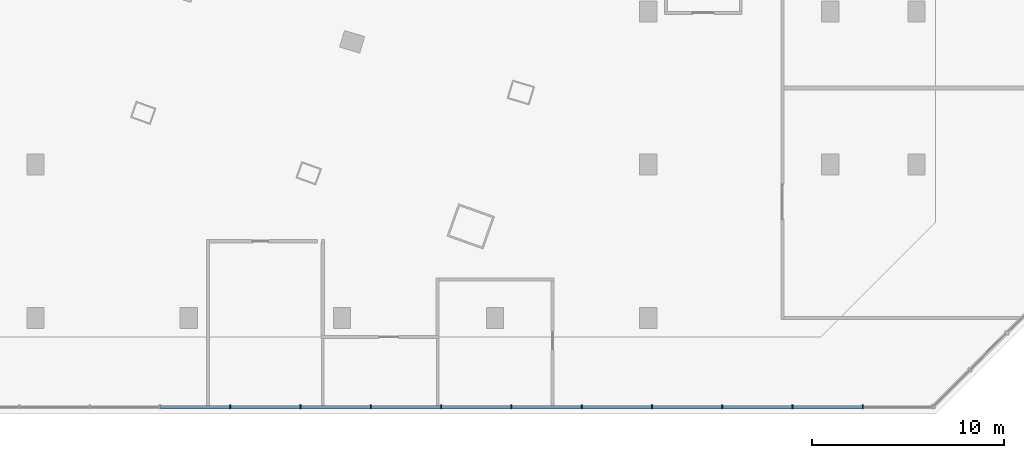
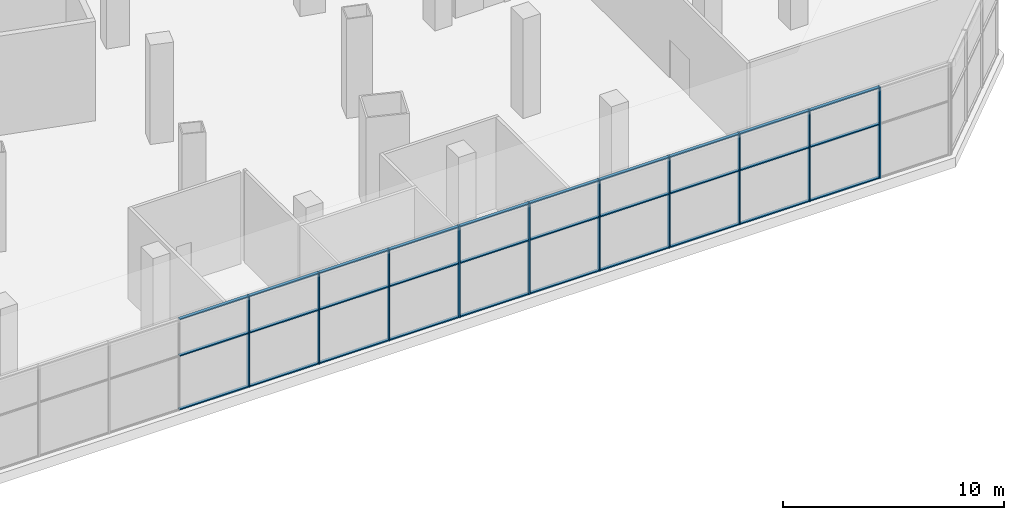
# One storey, part 3 of 26: 40 members, 1 element without a shape of its own.
"""IFC4 building model written with IfcOpenShell, lengths in metres."""

from ifc_helpers import new_model, si_unit, direction, frame, origin, origin_2d, place, context, subcontext, project, spatial, rectangle, extrude, material, layer, layer_set, material_profile, profile_set, type_object, element, aggregate, save


model = new_model("IFC4")

# Units and contexts
model_context = context("Model", 3, precision=1e-05, world=origin(), true_north=direction((0.0, 1.0)))
body_context = subcontext(model_context, "Body", "Model", "MODEL_VIEW")
ifc_project = project(units=[si_unit("LENGTHUNIT", "METRE"), si_unit("AREAUNIT", "SQUARE_METRE"), si_unit("VOLUMEUNIT", "CUBIC_METRE"), si_unit("PLANEANGLEUNIT", "RADIAN"), si_unit("MASSUNIT", "GRAM", prefix="KILO")], contexts=[model_context])

# Site, building, storey
site_placement = place(None, origin())
site = spatial("IfcSite", under=ifc_project, at=site_placement, CompositionType="ELEMENT")
building_placement = place(site_placement, origin())
building = spatial("IfcBuilding", under=site, at=building_placement, Name="Alderwake Tower", CompositionType="ELEMENT")
storey_placement = place(building_placement, frame((0.0, 0.0, 8.0)))
storey = spatial("IfcBuildingStorey", under=building, at=storey_placement, Name="L01", CompositionType="ELEMENT", Elevation=8.0)

# Curtain wall, members
ifc_material_1 = material(Name="Bronze tinted glass in aluminium frame", Category="aluminium")
ifc_layer = layer(ifc_material_1, 0.25)
ifc_layer_set = layer_set([ifc_layer], Name="Curtain wall CW1 podium shopfront")
curtain_wall_type = type_object("IfcCurtainWallType", Name="Curtain wall CW1 podium shopfront", PredefinedType="NOTDEFINED", material=ifc_layer_set)
curtain_wall_placement = place(storey_placement, origin())
curtain_wall = element("IfcCurtainWall", 1, at=curtain_wall_placement, inside=storey, type_object=curtain_wall_type, Name="Curtain wall 1", PredefinedType="NOTDEFINED")
ifc_material_2 = material(Name="Aluminium bronze anodised", Category="aluminium")
ifc_material_profile_1 = material_profile(ifc_material_2, rectangle(XDim=0.199951171875, YDim=0.06005859375, at=origin_2d()), Name="Mullion MUA 60x200")
ifc_profile_set_1 = profile_set([ifc_material_profile_1], Name="Aluminium bronze anodised")
member_type_1 = type_object("IfcMemberType", Name="Mullion MUA 60x200", PredefinedType="MULLION", material=ifc_profile_set_1)
member_1_placement = place(storey_placement, frame((42.172607421875, 3.35009765625, 0.0), z_axis=(0.0, 0.0, 1.0), x_axis=(0.0, 1.0, 0.0)))
member_1 = element("IfcMember", 2, at=member_1_placement, type_object=member_type_1, Name="CW.01 mullion 10", PredefinedType="MULLION", context=body_context, shape_type="SweptSolid", body=[
    extrude(rectangle(XDim=0.199951171875, YDim=0.06005859375, at=origin_2d()), origin(), (0.0, 0.0, 1.0), 5.050048828125),
])
member_2_placement = place(storey_placement, frame((45.84228515625, 3.35009765625, 0.0), z_axis=(0.0, 0.0, 1.0), x_axis=(0.0, 1.0, 0.0)))
member_2 = element("IfcMember", 3, at=member_2_placement, type_object=member_type_1, Name="CW.01 mullion 11", PredefinedType="MULLION", context=body_context, shape_type="SweptSolid", body=[
    extrude(rectangle(XDim=0.199951171875, YDim=0.06005859375, at=origin_2d()), origin(), (0.0, 0.0, 1.0), 5.050048828125),
])
member_3_placement = place(storey_placement, frame((49.51220703125, 3.35009765625, 0.0), z_axis=(0.0, 0.0, 1.0), x_axis=(0.0, 1.0, 0.0)))
member_3 = element("IfcMember", 4, at=member_3_placement, type_object=member_type_1, Name="CW.01 mullion 12", PredefinedType="MULLION", context=body_context, shape_type="SweptSolid", body=[
    extrude(rectangle(XDim=0.199951171875, YDim=0.06005859375, at=origin_2d()), origin(), (0.0, 0.0, 1.0), 5.050048828125),
])
member_4_placement = place(storey_placement, frame((53.181884765625, 3.35009765625, 0.0), z_axis=(0.0, 0.0, 1.0), x_axis=(0.0, 1.0, 0.0)))
member_4 = element("IfcMember", 5, at=member_4_placement, type_object=member_type_1, Name="CW.01 mullion 13", PredefinedType="MULLION", context=body_context, shape_type="SweptSolid", body=[
    extrude(rectangle(XDim=0.199951171875, YDim=0.06005859375, at=origin_2d()), origin(), (0.0, 0.0, 1.0), 5.050048828125),
])
member_5_placement = place(storey_placement, frame((56.8515625, 3.35009765625, 0.0), z_axis=(0.0, 0.0, 1.0), x_axis=(0.0, 1.0, 0.0)))
member_5 = element("IfcMember", 6, at=member_5_placement, type_object=member_type_1, Name="CW.01 mullion 14", PredefinedType="MULLION", context=body_context, shape_type="SweptSolid", body=[
    extrude(rectangle(XDim=0.199951171875, YDim=0.06005859375, at=origin_2d()), origin(), (0.0, 0.0, 1.0), 5.050048828125),
])
member_6_placement = place(storey_placement, frame((60.521240234375, 3.35009765625, 0.0), z_axis=(0.0, 0.0, 1.0), x_axis=(0.0, 1.0, 0.0)))
member_6 = element("IfcMember", 7, at=member_6_placement, type_object=member_type_1, Name="CW.01 mullion 15", PredefinedType="MULLION", context=body_context, shape_type="SweptSolid", body=[
    extrude(rectangle(XDim=0.199951171875, YDim=0.06005859375, at=origin_2d()), origin(), (0.0, 0.0, 1.0), 5.050048828125),
])
member_7_placement = place(storey_placement, frame((64.191162109375, 3.35009765625, 0.0), z_axis=(0.0, 0.0, 1.0), x_axis=(0.0, 1.0, 0.0)))
member_7 = element("IfcMember", 8, at=member_7_placement, type_object=member_type_1, Name="CW.01 mullion 16", PredefinedType="MULLION", context=body_context, shape_type="SweptSolid", body=[
    extrude(rectangle(XDim=0.199951171875, YDim=0.06005859375, at=origin_2d()), origin(), (0.0, 0.0, 1.0), 5.050048828125),
])
member_8_placement = place(storey_placement, frame((67.86083984375, 3.35009765625, 0.0), z_axis=(0.0, 0.0, 1.0), x_axis=(0.0, 1.0, 0.0)))
member_8 = element("IfcMember", 9, at=member_8_placement, type_object=member_type_1, Name="CW.01 mullion 17", PredefinedType="MULLION", context=body_context, shape_type="SweptSolid", body=[
    extrude(rectangle(XDim=0.199951171875, YDim=0.06005859375, at=origin_2d()), origin(), (0.0, 0.0, 1.0), 5.050048828125),
])
member_9_placement = place(storey_placement, frame((71.530517578125, 3.35009765625, 0.0), z_axis=(0.0, 0.0, 1.0), x_axis=(0.0, 1.0, 0.0)))
member_9 = element("IfcMember", 10, at=member_9_placement, type_object=member_type_1, Name="CW.01 mullion 18", PredefinedType="MULLION", context=body_context, shape_type="SweptSolid", body=[
    extrude(rectangle(XDim=0.199951171875, YDim=0.06005859375, at=origin_2d()), origin(), (0.0, 0.0, 1.0), 5.050048828125),
])
member_10_placement = place(storey_placement, frame((75.2001953125, 3.35009765625, 0.0), z_axis=(0.0, 0.0, 1.0), x_axis=(0.0, 1.0, 0.0)))
member_10 = element("IfcMember", 11, at=member_10_placement, type_object=member_type_1, Name="CW.01 mullion 19", PredefinedType="MULLION", context=body_context, shape_type="SweptSolid", body=[
    extrude(rectangle(XDim=0.199951171875, YDim=0.06005859375, at=origin_2d()), origin(), (0.0, 0.0, 1.0), 5.050048828125),
])
ifc_material_3 = material(Name="Aluminium bronze anodised", Category="aluminium")
ifc_material_profile_2 = material_profile(ifc_material_3, rectangle(XDim=0.159912109375, YDim=0.06005859375, at=origin_2d()), Name="Transom TRA 60x160")
ifc_profile_set_2 = profile_set([ifc_material_profile_2], Name="Aluminium bronze anodised")
member_type_2 = type_object("IfcMemberType", Name="Transom TRA 60x160", PredefinedType="USERDEFINED", material=ifc_profile_set_2)
member_11_placement = place(storey_placement, frame((38.532958984375, 3.35009765625, 0.030029296875), z_axis=(1.0, 0.0, 0.0), x_axis=(0.0, 1.0, 0.0)))
member_11 = element("IfcMember", 12, at=member_11_placement, type_object=member_type_2, Name="CW.01 transom 9.1", ObjectType="TRANSOM", PredefinedType="USERDEFINED", context=body_context, shape_type="SweptSolid", body=[
    extrude(rectangle(XDim=0.159912109375, YDim=0.06005859375, at=origin_2d()), origin(), (0.0, 0.0, 1.0), 3.609619140625),
])
member_12_placement = place(storey_placement, frame((38.532958984375, 3.35009765625, 3.0), z_axis=(1.0, 0.0, 0.0), x_axis=(0.0, 1.0, 0.0)))
member_12 = element("IfcMember", 13, at=member_12_placement, type_object=member_type_2, Name="CW.01 transom 9.2", ObjectType="TRANSOM", PredefinedType="USERDEFINED", context=body_context, shape_type="SweptSolid", body=[
    extrude(rectangle(XDim=0.159912109375, YDim=0.06005859375, at=origin_2d()), origin(), (0.0, 0.0, 1.0), 3.609619140625),
])
member_13_placement = place(storey_placement, frame((38.532958984375, 3.35009765625, 5.02001953125), z_axis=(1.0, 0.0, 0.0), x_axis=(0.0, 1.0, 0.0)))
member_13 = element("IfcMember", 14, at=member_13_placement, type_object=member_type_2, Name="CW.01 transom 9.3", ObjectType="TRANSOM", PredefinedType="USERDEFINED", context=body_context, shape_type="SweptSolid", body=[
    extrude(rectangle(XDim=0.159912109375, YDim=0.06005859375, at=origin_2d()), origin(), (0.0, 0.0, 1.0), 3.609619140625),
])
member_14_placement = place(storey_placement, frame((42.20263671875, 3.35009765625, 0.030029296875), z_axis=(1.0, 0.0, 0.0), x_axis=(0.0, 1.0, 0.0)))
member_14 = element("IfcMember", 15, at=member_14_placement, type_object=member_type_2, Name="CW.01 transom 10.1", ObjectType="TRANSOM", PredefinedType="USERDEFINED", context=body_context, shape_type="SweptSolid", body=[
    extrude(rectangle(XDim=0.159912109375, YDim=0.06005859375, at=origin_2d()), origin(), (0.0, 0.0, 1.0), 3.609619140625),
])
member_15_placement = place(storey_placement, frame((42.20263671875, 3.35009765625, 3.0), z_axis=(1.0, 0.0, 0.0), x_axis=(0.0, 1.0, 0.0)))
member_15 = element("IfcMember", 16, at=member_15_placement, type_object=member_type_2, Name="CW.01 transom 10.2", ObjectType="TRANSOM", PredefinedType="USERDEFINED", context=body_context, shape_type="SweptSolid", body=[
    extrude(rectangle(XDim=0.159912109375, YDim=0.06005859375, at=origin_2d()), origin(), (0.0, 0.0, 1.0), 3.609619140625),
])
member_16_placement = place(storey_placement, frame((42.20263671875, 3.35009765625, 5.02001953125), z_axis=(1.0, 0.0, 0.0), x_axis=(0.0, 1.0, 0.0)))
member_16 = element("IfcMember", 17, at=member_16_placement, type_object=member_type_2, Name="CW.01 transom 10.3", ObjectType="TRANSOM", PredefinedType="USERDEFINED", context=body_context, shape_type="SweptSolid", body=[
    extrude(rectangle(XDim=0.159912109375, YDim=0.06005859375, at=origin_2d()), origin(), (0.0, 0.0, 1.0), 3.609619140625),
])
member_17_placement = place(storey_placement, frame((45.872314453125, 3.35009765625, 0.030029296875), z_axis=(1.0, 0.0, 0.0), x_axis=(0.0, 1.0, 0.0)))
member_17 = element("IfcMember", 18, at=member_17_placement, type_object=member_type_2, Name="CW.01 transom 11.1", ObjectType="TRANSOM", PredefinedType="USERDEFINED", context=body_context, shape_type="SweptSolid", body=[
    extrude(rectangle(XDim=0.159912109375, YDim=0.06005859375, at=origin_2d()), origin(), (0.0, 0.0, 1.0), 3.60986328125),
])
member_18_placement = place(storey_placement, frame((45.872314453125, 3.35009765625, 3.0), z_axis=(1.0, 0.0, 0.0), x_axis=(0.0, 1.0, 0.0)))
member_18 = element("IfcMember", 19, at=member_18_placement, type_object=member_type_2, Name="CW.01 transom 11.2", ObjectType="TRANSOM", PredefinedType="USERDEFINED", context=body_context, shape_type="SweptSolid", body=[
    extrude(rectangle(XDim=0.159912109375, YDim=0.06005859375, at=origin_2d()), origin(), (0.0, 0.0, 1.0), 3.60986328125),
])
member_19_placement = place(storey_placement, frame((45.872314453125, 3.35009765625, 5.02001953125), z_axis=(1.0, 0.0, 0.0), x_axis=(0.0, 1.0, 0.0)))
member_19 = element("IfcMember", 20, at=member_19_placement, type_object=member_type_2, Name="CW.01 transom 11.3", ObjectType="TRANSOM", PredefinedType="USERDEFINED", context=body_context, shape_type="SweptSolid", body=[
    extrude(rectangle(XDim=0.159912109375, YDim=0.06005859375, at=origin_2d()), origin(), (0.0, 0.0, 1.0), 3.60986328125),
])
member_20_placement = place(storey_placement, frame((49.5419921875, 3.35009765625, 0.030029296875), z_axis=(1.0, 0.0, 0.0), x_axis=(0.0, 1.0, 0.0)))
member_20 = element("IfcMember", 21, at=member_20_placement, type_object=member_type_2, Name="CW.01 transom 12.1", ObjectType="TRANSOM", PredefinedType="USERDEFINED", context=body_context, shape_type="SweptSolid", body=[
    extrude(rectangle(XDim=0.159912109375, YDim=0.06005859375, at=origin_2d()), origin(), (0.0, 0.0, 1.0), 3.60986328125),
])
member_21_placement = place(storey_placement, frame((49.5419921875, 3.35009765625, 3.0), z_axis=(1.0, 0.0, 0.0), x_axis=(0.0, 1.0, 0.0)))
member_21 = element("IfcMember", 22, at=member_21_placement, type_object=member_type_2, Name="CW.01 transom 12.2", ObjectType="TRANSOM", PredefinedType="USERDEFINED", context=body_context, shape_type="SweptSolid", body=[
    extrude(rectangle(XDim=0.159912109375, YDim=0.06005859375, at=origin_2d()), origin(), (0.0, 0.0, 1.0), 3.60986328125),
])
member_22_placement = place(storey_placement, frame((49.5419921875, 3.35009765625, 5.02001953125), z_axis=(1.0, 0.0, 0.0), x_axis=(0.0, 1.0, 0.0)))
member_22 = element("IfcMember", 23, at=member_22_placement, type_object=member_type_2, Name="CW.01 transom 12.3", ObjectType="TRANSOM", PredefinedType="USERDEFINED", context=body_context, shape_type="SweptSolid", body=[
    extrude(rectangle(XDim=0.159912109375, YDim=0.06005859375, at=origin_2d()), origin(), (0.0, 0.0, 1.0), 3.60986328125),
])
member_23_placement = place(storey_placement, frame((53.2119140625, 3.35009765625, 0.030029296875), z_axis=(1.0, 0.0, 0.0), x_axis=(0.0, 1.0, 0.0)))
member_23 = element("IfcMember", 24, at=member_23_placement, type_object=member_type_2, Name="CW.01 transom 13.1", ObjectType="TRANSOM", PredefinedType="USERDEFINED", context=body_context, shape_type="SweptSolid", body=[
    extrude(rectangle(XDim=0.159912109375, YDim=0.06005859375, at=origin_2d()), origin(), (0.0, 0.0, 1.0), 3.609619140625),
])
member_24_placement = place(storey_placement, frame((53.2119140625, 3.35009765625, 3.0), z_axis=(1.0, 0.0, 0.0), x_axis=(0.0, 1.0, 0.0)))
member_24 = element("IfcMember", 25, at=member_24_placement, type_object=member_type_2, Name="CW.01 transom 13.2", ObjectType="TRANSOM", PredefinedType="USERDEFINED", context=body_context, shape_type="SweptSolid", body=[
    extrude(rectangle(XDim=0.159912109375, YDim=0.06005859375, at=origin_2d()), origin(), (0.0, 0.0, 1.0), 3.609619140625),
])
member_25_placement = place(storey_placement, frame((53.2119140625, 3.35009765625, 5.02001953125), z_axis=(1.0, 0.0, 0.0), x_axis=(0.0, 1.0, 0.0)))
member_25 = element("IfcMember", 26, at=member_25_placement, type_object=member_type_2, Name="CW.01 transom 13.3", ObjectType="TRANSOM", PredefinedType="USERDEFINED", context=body_context, shape_type="SweptSolid", body=[
    extrude(rectangle(XDim=0.159912109375, YDim=0.06005859375, at=origin_2d()), origin(), (0.0, 0.0, 1.0), 3.609619140625),
])
member_26_placement = place(storey_placement, frame((56.881591796875, 3.35009765625, 0.030029296875), z_axis=(1.0, 0.0, 0.0), x_axis=(0.0, 1.0, 0.0)))
member_26 = element("IfcMember", 27, at=member_26_placement, type_object=member_type_2, Name="CW.01 transom 14.1", ObjectType="TRANSOM", PredefinedType="USERDEFINED", context=body_context, shape_type="SweptSolid", body=[
    extrude(rectangle(XDim=0.159912109375, YDim=0.06005859375, at=origin_2d()), origin(), (0.0, 0.0, 1.0), 3.609619140625),
])
member_27_placement = place(storey_placement, frame((56.881591796875, 3.35009765625, 3.0), z_axis=(1.0, 0.0, 0.0), x_axis=(0.0, 1.0, 0.0)))
member_27 = element("IfcMember", 28, at=member_27_placement, type_object=member_type_2, Name="CW.01 transom 14.2", ObjectType="TRANSOM", PredefinedType="USERDEFINED", context=body_context, shape_type="SweptSolid", body=[
    extrude(rectangle(XDim=0.159912109375, YDim=0.06005859375, at=origin_2d()), origin(), (0.0, 0.0, 1.0), 3.609619140625),
])
member_28_placement = place(storey_placement, frame((56.881591796875, 3.35009765625, 5.02001953125), z_axis=(1.0, 0.0, 0.0), x_axis=(0.0, 1.0, 0.0)))
member_28 = element("IfcMember", 29, at=member_28_placement, type_object=member_type_2, Name="CW.01 transom 14.3", ObjectType="TRANSOM", PredefinedType="USERDEFINED", context=body_context, shape_type="SweptSolid", body=[
    extrude(rectangle(XDim=0.159912109375, YDim=0.06005859375, at=origin_2d()), origin(), (0.0, 0.0, 1.0), 3.609619140625),
])
member_29_placement = place(storey_placement, frame((60.55126953125, 3.35009765625, 0.030029296875), z_axis=(1.0, 0.0, 0.0), x_axis=(0.0, 1.0, 0.0)))
member_29 = element("IfcMember", 30, at=member_29_placement, type_object=member_type_2, Name="CW.01 transom 15.1", ObjectType="TRANSOM", PredefinedType="USERDEFINED", context=body_context, shape_type="SweptSolid", body=[
    extrude(rectangle(XDim=0.159912109375, YDim=0.06005859375, at=origin_2d()), origin(), (0.0, 0.0, 1.0), 3.60986328125),
])
member_30_placement = place(storey_placement, frame((60.55126953125, 3.35009765625, 3.0), z_axis=(1.0, 0.0, 0.0), x_axis=(0.0, 1.0, 0.0)))
member_30 = element("IfcMember", 31, at=member_30_placement, type_object=member_type_2, Name="CW.01 transom 15.2", ObjectType="TRANSOM", PredefinedType="USERDEFINED", context=body_context, shape_type="SweptSolid", body=[
    extrude(rectangle(XDim=0.159912109375, YDim=0.06005859375, at=origin_2d()), origin(), (0.0, 0.0, 1.0), 3.60986328125),
])
member_31_placement = place(storey_placement, frame((60.55126953125, 3.35009765625, 5.02001953125), z_axis=(1.0, 0.0, 0.0), x_axis=(0.0, 1.0, 0.0)))
member_31 = element("IfcMember", 32, at=member_31_placement, type_object=member_type_2, Name="CW.01 transom 15.3", ObjectType="TRANSOM", PredefinedType="USERDEFINED", context=body_context, shape_type="SweptSolid", body=[
    extrude(rectangle(XDim=0.159912109375, YDim=0.06005859375, at=origin_2d()), origin(), (0.0, 0.0, 1.0), 3.60986328125),
])
member_32_placement = place(storey_placement, frame((64.220947265625, 3.35009765625, 0.030029296875), z_axis=(1.0, 0.0, 0.0), x_axis=(0.0, 1.0, 0.0)))
member_32 = element("IfcMember", 33, at=member_32_placement, type_object=member_type_2, Name="CW.01 transom 16.1", ObjectType="TRANSOM", PredefinedType="USERDEFINED", context=body_context, shape_type="SweptSolid", body=[
    extrude(rectangle(XDim=0.159912109375, YDim=0.06005859375, at=origin_2d()), origin(), (0.0, 0.0, 1.0), 3.60986328125),
])
member_33_placement = place(storey_placement, frame((64.220947265625, 3.35009765625, 3.0), z_axis=(1.0, 0.0, 0.0), x_axis=(0.0, 1.0, 0.0)))
member_33 = element("IfcMember", 34, at=member_33_placement, type_object=member_type_2, Name="CW.01 transom 16.2", ObjectType="TRANSOM", PredefinedType="USERDEFINED", context=body_context, shape_type="SweptSolid", body=[
    extrude(rectangle(XDim=0.159912109375, YDim=0.06005859375, at=origin_2d()), origin(), (0.0, 0.0, 1.0), 3.60986328125),
])
member_34_placement = place(storey_placement, frame((64.220947265625, 3.35009765625, 5.02001953125), z_axis=(1.0, 0.0, 0.0), x_axis=(0.0, 1.0, 0.0)))
member_34 = element("IfcMember", 35, at=member_34_placement, type_object=member_type_2, Name="CW.01 transom 16.3", ObjectType="TRANSOM", PredefinedType="USERDEFINED", context=body_context, shape_type="SweptSolid", body=[
    extrude(rectangle(XDim=0.159912109375, YDim=0.06005859375, at=origin_2d()), origin(), (0.0, 0.0, 1.0), 3.60986328125),
])
member_35_placement = place(storey_placement, frame((67.890869140625, 3.35009765625, 0.030029296875), z_axis=(1.0, 0.0, 0.0), x_axis=(0.0, 1.0, 0.0)))
member_35 = element("IfcMember", 36, at=member_35_placement, type_object=member_type_2, Name="CW.01 transom 17.1", ObjectType="TRANSOM", PredefinedType="USERDEFINED", context=body_context, shape_type="SweptSolid", body=[
    extrude(rectangle(XDim=0.159912109375, YDim=0.06005859375, at=origin_2d()), origin(), (0.0, 0.0, 1.0), 3.609619140625),
])
member_36_placement = place(storey_placement, frame((67.890869140625, 3.35009765625, 3.0), z_axis=(1.0, 0.0, 0.0), x_axis=(0.0, 1.0, 0.0)))
member_36 = element("IfcMember", 37, at=member_36_placement, type_object=member_type_2, Name="CW.01 transom 17.2", ObjectType="TRANSOM", PredefinedType="USERDEFINED", context=body_context, shape_type="SweptSolid", body=[
    extrude(rectangle(XDim=0.159912109375, YDim=0.06005859375, at=origin_2d()), origin(), (0.0, 0.0, 1.0), 3.609619140625),
])
member_37_placement = place(storey_placement, frame((67.890869140625, 3.35009765625, 5.02001953125), z_axis=(1.0, 0.0, 0.0), x_axis=(0.0, 1.0, 0.0)))
member_37 = element("IfcMember", 38, at=member_37_placement, type_object=member_type_2, Name="CW.01 transom 17.3", ObjectType="TRANSOM", PredefinedType="USERDEFINED", context=body_context, shape_type="SweptSolid", body=[
    extrude(rectangle(XDim=0.159912109375, YDim=0.06005859375, at=origin_2d()), origin(), (0.0, 0.0, 1.0), 3.609619140625),
])
member_38_placement = place(storey_placement, frame((71.560546875, 3.35009765625, 0.030029296875), z_axis=(1.0, 0.0, 0.0), x_axis=(0.0, 1.0, 0.0)))
member_38 = element("IfcMember", 39, at=member_38_placement, type_object=member_type_2, Name="CW.01 transom 18.1", ObjectType="TRANSOM", PredefinedType="USERDEFINED", context=body_context, shape_type="SweptSolid", body=[
    extrude(rectangle(XDim=0.159912109375, YDim=0.06005859375, at=origin_2d()), origin(), (0.0, 0.0, 1.0), 3.609619140625),
])
member_39_placement = place(storey_placement, frame((71.560546875, 3.35009765625, 3.0), z_axis=(1.0, 0.0, 0.0), x_axis=(0.0, 1.0, 0.0)))
member_39 = element("IfcMember", 40, at=member_39_placement, type_object=member_type_2, Name="CW.01 transom 18.2", ObjectType="TRANSOM", PredefinedType="USERDEFINED", context=body_context, shape_type="SweptSolid", body=[
    extrude(rectangle(XDim=0.159912109375, YDim=0.06005859375, at=origin_2d()), origin(), (0.0, 0.0, 1.0), 3.609619140625),
])
member_40_placement = place(storey_placement, frame((71.560546875, 3.35009765625, 5.02001953125), z_axis=(1.0, 0.0, 0.0), x_axis=(0.0, 1.0, 0.0)))
member_40 = element("IfcMember", 41, at=member_40_placement, type_object=member_type_2, Name="CW.01 transom 18.3", ObjectType="TRANSOM", PredefinedType="USERDEFINED", context=body_context, shape_type="SweptSolid", body=[
    extrude(rectangle(XDim=0.159912109375, YDim=0.06005859375, at=origin_2d()), origin(), (0.0, 0.0, 1.0), 3.609619140625),
])
aggregate(curtain_wall, [member_1, member_2, member_3, member_4, member_5, member_6, member_7, member_8, member_9, member_10, member_11, member_12, member_13, member_14, member_15, member_16, member_17, member_18, member_19, member_20, member_21, member_22, member_23, member_24, member_25, member_26, member_27, member_28, member_29, member_30, member_31, member_32, member_33, member_34, member_35, member_36, member_37, member_38, member_39, member_40])

save(model, "model.ifc")
